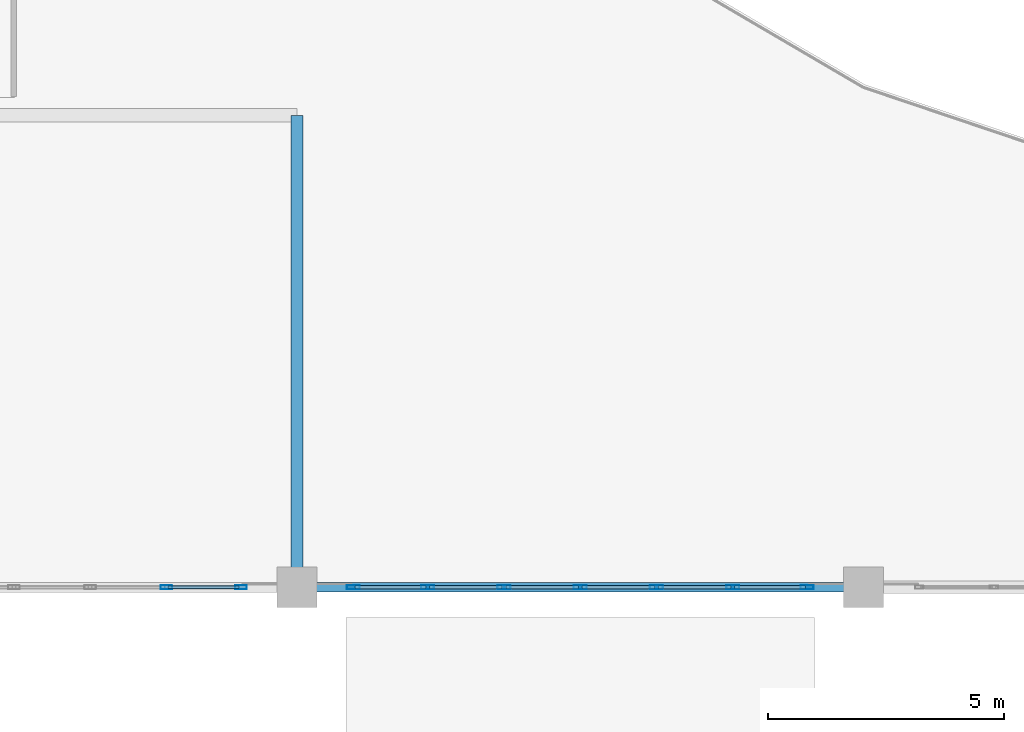
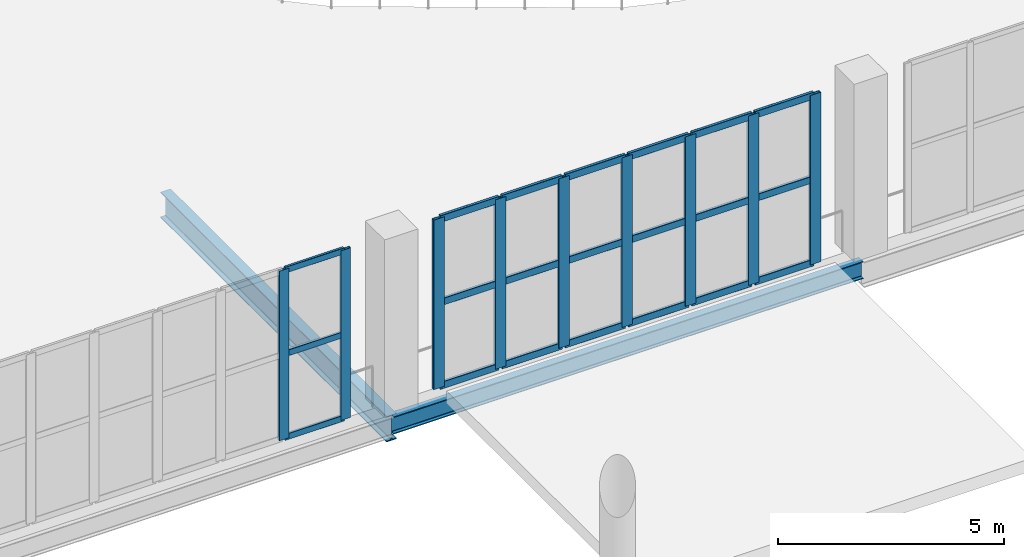
# One storey, part 12 of 49: 30 members, 2 beams, 2 elements without a shape of their own.
"""IFC4 building model written with IfcOpenShell, lengths in metres."""

from ifc_helpers import new_model, si_unit, direction, frame, origin, origin_2d, place, context, subcontext, project, spatial, hollow_rectangle, i_section, extrude, material, layer, layer_set, material_profile, profile_set, type_object, element, aggregate, save


model = new_model("IFC4")

# Units and contexts
model_context = context("Model", 3, precision=1e-05, world=origin(), true_north=direction((0.0, 1.0)))
body_context = subcontext(model_context, "Body", "Model", "MODEL_VIEW")
ifc_project = project(units=[si_unit("LENGTHUNIT", "METRE"), si_unit("AREAUNIT", "SQUARE_METRE"), si_unit("VOLUMEUNIT", "CUBIC_METRE"), si_unit("PLANEANGLEUNIT", "RADIAN"), si_unit("MASSUNIT", "GRAM", prefix="KILO")], contexts=[model_context])

# Site, building, storey
site_placement = place(None, origin())
site = spatial("IfcSite", under=ifc_project, at=site_placement, CompositionType="ELEMENT")
building_placement = place(site_placement, origin())
building = spatial("IfcBuilding", under=site, at=building_placement, Name="Brinegate Civic Arena", CompositionType="ELEMENT")
storey_placement = place(building_placement, frame((0.0, 0.0, 24.60009765625)))
storey = spatial("IfcBuildingStorey", under=building, at=storey_placement, Name="L05", CompositionType="ELEMENT", Elevation=24.60009765625)

# Curtain wall, members
ifc_material_1 = material(Name="Marine grade aluminium", Category="aluminium")
ifc_layer = layer(ifc_material_1, 0.199951171875, Name="Marine grade aluminium")
ifc_layer_set = layer_set([ifc_layer], Name="Marine grade aluminium")
curtain_wall_type = type_object("IfcCurtainWallType", Name="CW-BOWL-GLAZED-01", PredefinedType="USERDEFINED", material=ifc_layer_set)
curtain_wall_1_placement = place(storey_placement, origin())
curtain_wall_1 = element("IfcCurtainWall", 1, at=curtain_wall_1_placement, inside=storey, type_object=curtain_wall_type, Name="Curtain Wall CWA-165", ObjectType="GLAZED CURTAIN WALL", PredefinedType="USERDEFINED")
ifc_material_profile_1 = material_profile(ifc_material_1, hollow_rectangle(XDim=0.074951171875, YDim=0.25, WallThickness=0.006103515625, InnerFilletRadius=0.00390625, OuterFilletRadius=0.008056640625, at=origin_2d()), Name="MUL75X250")
ifc_profile_set_1 = profile_set([ifc_material_profile_1], Name="Marine grade aluminium")
member_type_1 = type_object("IfcMemberType", Name="CW-MULLION-75X250", PredefinedType="MULLION", material=ifc_profile_set_1)
member_1_placement = place(storey_placement, frame((81.232666015625, 10.0, 0.0), z_axis=(0.0, 0.0, 1.0), x_axis=(0.0, 1.0, 0.0)))
member_1 = element("IfcMember", 2, at=member_1_placement, type_object=member_type_1, Name="CWA-165 mullion 6", PredefinedType="MULLION", context=body_context, shape_type="SweptSolid", body=[
    extrude(hollow_rectangle(XDim=0.074951171875, YDim=0.25, WallThickness=0.006103515625, InnerFilletRadius=0.00390625, OuterFilletRadius=0.008056640625, at=origin_2d()), origin(), (0.0, 0.0, 1.0), 4.579833984375),
])
member_2_placement = place(storey_placement, frame((82.8115234375, 10.0, 0.0), z_axis=(0.0, 0.0, 1.0), x_axis=(0.0, 1.0, 0.0)))
member_2 = element("IfcMember", 3, at=member_2_placement, type_object=member_type_1, Name="CWA-165 mullion 7", PredefinedType="MULLION", context=body_context, shape_type="SweptSolid", body=[
    extrude(hollow_rectangle(XDim=0.074951171875, YDim=0.25, WallThickness=0.006103515625, InnerFilletRadius=0.00390625, OuterFilletRadius=0.008056640625, at=origin_2d()), origin(), (0.0, 0.0, 1.0), 4.579833984375),
])

curtain_wall_2_placement = place(storey_placement, origin())
curtain_wall_2 = element("IfcCurtainWall", 4, at=curtain_wall_2_placement, inside=storey, type_object=curtain_wall_type, Name="Curtain Wall CWA-166", ObjectType="GLAZED CURTAIN WALL", PredefinedType="USERDEFINED")
ifc_material_profile_2 = material_profile(ifc_material_1, hollow_rectangle(XDim=0.080078125, YDim=0.280029296875, WallThickness=0.007080078125, InnerFilletRadius=0.0048828125, OuterFilletRadius=0.010009765625, at=origin_2d()), Name="MUL80X280")
ifc_profile_set_2 = profile_set([ifc_material_profile_2], Name="Marine grade aluminium")
member_type_2 = type_object("IfcMemberType", Name="CW-MULLION-80X280", PredefinedType="MULLION", material=ifc_profile_set_2)
member_3_placement = place(storey_placement, frame((85.19091796875, 10.0, 0.0), z_axis=(0.0, 0.0, 1.0), x_axis=(0.0, 1.0, 0.0)))
member_3 = element("IfcMember", 5, at=member_3_placement, type_object=member_type_2, Name="CWA-166 mullion 1", PredefinedType="MULLION", context=body_context, shape_type="SweptSolid", body=[
    extrude(hollow_rectangle(XDim=0.080078125, YDim=0.280029296875, WallThickness=0.007080078125, InnerFilletRadius=0.0048828125, OuterFilletRadius=0.010009765625, at=origin_2d()), origin(), (0.0, 0.0, 1.0), 4.579833984375),
])
member_4_placement = place(storey_placement, frame((86.767333984375, 10.0, 0.0), z_axis=(0.0, 0.0, 1.0), x_axis=(0.0, 1.0, 0.0)))
member_4 = element("IfcMember", 6, at=member_4_placement, type_object=member_type_2, Name="CWA-166 mullion 2", PredefinedType="MULLION", context=body_context, shape_type="SweptSolid", body=[
    extrude(hollow_rectangle(XDim=0.080078125, YDim=0.280029296875, WallThickness=0.007080078125, InnerFilletRadius=0.0048828125, OuterFilletRadius=0.010009765625, at=origin_2d()), origin(), (0.0, 0.0, 1.0), 4.579833984375),
])
member_5_placement = place(storey_placement, frame((88.383544921875, 10.0, 0.0), z_axis=(0.0, 0.0, 1.0), x_axis=(0.0, 1.0, 0.0)))
member_5 = element("IfcMember", 7, at=member_5_placement, type_object=member_type_2, Name="CWA-166 mullion 3", PredefinedType="MULLION", context=body_context, shape_type="SweptSolid", body=[
    extrude(hollow_rectangle(XDim=0.080078125, YDim=0.280029296875, WallThickness=0.007080078125, InnerFilletRadius=0.0048828125, OuterFilletRadius=0.010009765625, at=origin_2d()), origin(), (0.0, 0.0, 1.0), 4.579833984375),
])
member_6_placement = place(storey_placement, frame((90.0, 10.0, 0.0), z_axis=(0.0, 0.0, 1.0), x_axis=(0.0, 1.0, 0.0)))
member_6 = element("IfcMember", 8, at=member_6_placement, type_object=member_type_2, Name="CWA-166 mullion 4", PredefinedType="MULLION", context=body_context, shape_type="SweptSolid", body=[
    extrude(hollow_rectangle(XDim=0.080078125, YDim=0.280029296875, WallThickness=0.007080078125, InnerFilletRadius=0.0048828125, OuterFilletRadius=0.010009765625, at=origin_2d()), origin(), (0.0, 0.0, 1.0), 4.579833984375),
])
member_7_placement = place(storey_placement, frame((91.616455078125, 10.0, 0.0), z_axis=(0.0, 0.0, 1.0), x_axis=(0.0, 1.0, 0.0)))
member_7 = element("IfcMember", 9, at=member_7_placement, type_object=member_type_2, Name="CWA-166 mullion 5", PredefinedType="MULLION", context=body_context, shape_type="SweptSolid", body=[
    extrude(hollow_rectangle(XDim=0.080078125, YDim=0.280029296875, WallThickness=0.007080078125, InnerFilletRadius=0.0048828125, OuterFilletRadius=0.010009765625, at=origin_2d()), origin(), (0.0, 0.0, 1.0), 4.579833984375),
])
member_8_placement = place(storey_placement, frame((93.232666015625, 10.0, 0.0), z_axis=(0.0, 0.0, 1.0), x_axis=(0.0, 1.0, 0.0)))
member_8 = element("IfcMember", 10, at=member_8_placement, type_object=member_type_2, Name="CWA-166 mullion 6", PredefinedType="MULLION", context=body_context, shape_type="SweptSolid", body=[
    extrude(hollow_rectangle(XDim=0.080078125, YDim=0.280029296875, WallThickness=0.007080078125, InnerFilletRadius=0.0048828125, OuterFilletRadius=0.010009765625, at=origin_2d()), origin(), (0.0, 0.0, 1.0), 4.579833984375),
])
member_9_placement = place(storey_placement, frame((94.80908203125, 10.0, 0.0), z_axis=(0.0, 0.0, 1.0), x_axis=(0.0, 1.0, 0.0)))
member_9 = element("IfcMember", 11, at=member_9_placement, type_object=member_type_2, Name="CWA-166 mullion 7", PredefinedType="MULLION", context=body_context, shape_type="SweptSolid", body=[
    extrude(hollow_rectangle(XDim=0.080078125, YDim=0.280029296875, WallThickness=0.007080078125, InnerFilletRadius=0.0048828125, OuterFilletRadius=0.010009765625, at=origin_2d()), origin(), (0.0, 0.0, 1.0), 4.579833984375),
])

# Member
ifc_material_profile_3 = material_profile(ifc_material_1, hollow_rectangle(XDim=0.06494140625, YDim=0.1650390625, WallThickness=0.0048828125, InnerFilletRadius=0.00390625, OuterFilletRadius=0.008056640625, at=origin_2d()), Name="TRN65X165")
ifc_profile_set_3 = profile_set([ifc_material_profile_3], Name="Marine grade aluminium")
member_type_3 = type_object("IfcMemberType", Name="CW-TRANSOM-65X165", PredefinedType="USERDEFINED", material=ifc_profile_set_3)
member_10_placement = place(storey_placement, frame((81.270263671875, 10.0, 0.032470703125), z_axis=(1.0, 0.0, 0.0), x_axis=(0.0, 1.0, 0.0)))
member_10 = element("IfcMember", 12, at=member_10_placement, type_object=member_type_3, Name="CWA-165 transom 6.1", ObjectType="TRANSOM", PredefinedType="USERDEFINED", context=body_context, shape_type="SweptSolid", body=[
    extrude(hollow_rectangle(XDim=0.06494140625, YDim=0.1650390625, WallThickness=0.0048828125, InnerFilletRadius=0.00390625, OuterFilletRadius=0.008056640625, at=origin_2d()), origin(), (0.0, 0.0, 1.0), 1.503662109375),
])

member_11_placement = place(storey_placement, frame((81.270263671875, 10.0, 2.289794921875), z_axis=(1.0, 0.0, 0.0), x_axis=(0.0, 1.0, 0.0)))
member_11 = element("IfcMember", 13, at=member_11_placement, type_object=member_type_3, Name="CWA-165 transom 6.2", ObjectType="TRANSOM", PredefinedType="USERDEFINED", context=body_context, shape_type="SweptSolid", body=[
    extrude(hollow_rectangle(XDim=0.06494140625, YDim=0.1650390625, WallThickness=0.0048828125, InnerFilletRadius=0.00390625, OuterFilletRadius=0.008056640625, at=origin_2d()), origin(), (0.0, 0.0, 1.0), 1.503662109375),
])

member_12_placement = place(storey_placement, frame((81.270263671875, 10.0, 4.54736328125), z_axis=(1.0, 0.0, 0.0), x_axis=(0.0, 1.0, 0.0)))
member_12 = element("IfcMember", 14, at=member_12_placement, type_object=member_type_3, Name="CWA-165 transom 6.3", ObjectType="TRANSOM", PredefinedType="USERDEFINED", context=body_context, shape_type="SweptSolid", body=[
    extrude(hollow_rectangle(XDim=0.06494140625, YDim=0.1650390625, WallThickness=0.0048828125, InnerFilletRadius=0.00390625, OuterFilletRadius=0.008056640625, at=origin_2d()), origin(), (0.0, 0.0, 1.0), 1.503662109375),
])

aggregate(curtain_wall_1, [member_1, member_2, member_10, member_11, member_12])

ifc_material_profile_4 = material_profile(ifc_material_1, hollow_rectangle(XDim=0.074951171875, YDim=0.18994140625, WallThickness=0.006103515625, InnerFilletRadius=0.00390625, OuterFilletRadius=0.008056640625, at=origin_2d()), Name="TRN75X190")
ifc_profile_set_4 = profile_set([ifc_material_profile_4], Name="Marine grade aluminium")
member_type_4 = type_object("IfcMemberType", Name="CW-TRANSOM-75X190", PredefinedType="USERDEFINED", material=ifc_profile_set_4)
member_13_placement = place(storey_placement, frame((85.23095703125, 10.0, 0.037353515625), z_axis=(1.0, 0.0, 0.0), x_axis=(0.0, 1.0, 0.0)))
member_13 = element("IfcMember", 15, at=member_13_placement, type_object=member_type_4, Name="CWA-166 transom 1.1", ObjectType="TRANSOM", PredefinedType="USERDEFINED", context=body_context, shape_type="SweptSolid", body=[
    extrude(hollow_rectangle(XDim=0.074951171875, YDim=0.18994140625, WallThickness=0.006103515625, InnerFilletRadius=0.00390625, OuterFilletRadius=0.008056640625, at=origin_2d()), origin(), (0.0, 0.0, 1.0), 1.496337890625),
])

member_14_placement = place(storey_placement, frame((85.23095703125, 10.0, 2.289794921875), z_axis=(1.0, 0.0, 0.0), x_axis=(0.0, 1.0, 0.0)))
member_14 = element("IfcMember", 16, at=member_14_placement, type_object=member_type_4, Name="CWA-166 transom 1.2", ObjectType="TRANSOM", PredefinedType="USERDEFINED", context=body_context, shape_type="SweptSolid", body=[
    extrude(hollow_rectangle(XDim=0.074951171875, YDim=0.18994140625, WallThickness=0.006103515625, InnerFilletRadius=0.00390625, OuterFilletRadius=0.008056640625, at=origin_2d()), origin(), (0.0, 0.0, 1.0), 1.496337890625),
])

member_15_placement = place(storey_placement, frame((85.23095703125, 10.0, 4.54248046875), z_axis=(1.0, 0.0, 0.0), x_axis=(0.0, 1.0, 0.0)))
member_15 = element("IfcMember", 17, at=member_15_placement, type_object=member_type_4, Name="CWA-166 transom 1.3", ObjectType="TRANSOM", PredefinedType="USERDEFINED", context=body_context, shape_type="SweptSolid", body=[
    extrude(hollow_rectangle(XDim=0.074951171875, YDim=0.18994140625, WallThickness=0.006103515625, InnerFilletRadius=0.00390625, OuterFilletRadius=0.008056640625, at=origin_2d()), origin(), (0.0, 0.0, 1.0), 1.496337890625),
])

member_16_placement = place(storey_placement, frame((86.807373046875, 10.0, 0.037353515625), z_axis=(1.0, 0.0, 0.0), x_axis=(0.0, 1.0, 0.0)))
member_16 = element("IfcMember", 18, at=member_16_placement, type_object=member_type_4, Name="CWA-166 transom 2.1", ObjectType="TRANSOM", PredefinedType="USERDEFINED", context=body_context, shape_type="SweptSolid", body=[
    extrude(hollow_rectangle(XDim=0.074951171875, YDim=0.18994140625, WallThickness=0.006103515625, InnerFilletRadius=0.00390625, OuterFilletRadius=0.008056640625, at=origin_2d()), origin(), (0.0, 0.0, 1.0), 1.536376953125),
])

member_17_placement = place(storey_placement, frame((86.807373046875, 10.0, 2.289794921875), z_axis=(1.0, 0.0, 0.0), x_axis=(0.0, 1.0, 0.0)))
member_17 = element("IfcMember", 19, at=member_17_placement, type_object=member_type_4, Name="CWA-166 transom 2.2", ObjectType="TRANSOM", PredefinedType="USERDEFINED", context=body_context, shape_type="SweptSolid", body=[
    extrude(hollow_rectangle(XDim=0.074951171875, YDim=0.18994140625, WallThickness=0.006103515625, InnerFilletRadius=0.00390625, OuterFilletRadius=0.008056640625, at=origin_2d()), origin(), (0.0, 0.0, 1.0), 1.536376953125),
])

member_18_placement = place(storey_placement, frame((86.807373046875, 10.0, 4.54248046875), z_axis=(1.0, 0.0, 0.0), x_axis=(0.0, 1.0, 0.0)))
member_18 = element("IfcMember", 20, at=member_18_placement, type_object=member_type_4, Name="CWA-166 transom 2.3", ObjectType="TRANSOM", PredefinedType="USERDEFINED", context=body_context, shape_type="SweptSolid", body=[
    extrude(hollow_rectangle(XDim=0.074951171875, YDim=0.18994140625, WallThickness=0.006103515625, InnerFilletRadius=0.00390625, OuterFilletRadius=0.008056640625, at=origin_2d()), origin(), (0.0, 0.0, 1.0), 1.536376953125),
])

member_19_placement = place(storey_placement, frame((88.423583984375, 10.0, 0.037353515625), z_axis=(1.0, 0.0, 0.0), x_axis=(0.0, 1.0, 0.0)))
member_19 = element("IfcMember", 21, at=member_19_placement, type_object=member_type_4, Name="CWA-166 transom 3.1", ObjectType="TRANSOM", PredefinedType="USERDEFINED", context=body_context, shape_type="SweptSolid", body=[
    extrude(hollow_rectangle(XDim=0.074951171875, YDim=0.18994140625, WallThickness=0.006103515625, InnerFilletRadius=0.00390625, OuterFilletRadius=0.008056640625, at=origin_2d()), origin(), (0.0, 0.0, 1.0), 1.536376953125),
])

member_20_placement = place(storey_placement, frame((88.423583984375, 10.0, 2.289794921875), z_axis=(1.0, 0.0, 0.0), x_axis=(0.0, 1.0, 0.0)))
member_20 = element("IfcMember", 22, at=member_20_placement, type_object=member_type_4, Name="CWA-166 transom 3.2", ObjectType="TRANSOM", PredefinedType="USERDEFINED", context=body_context, shape_type="SweptSolid", body=[
    extrude(hollow_rectangle(XDim=0.074951171875, YDim=0.18994140625, WallThickness=0.006103515625, InnerFilletRadius=0.00390625, OuterFilletRadius=0.008056640625, at=origin_2d()), origin(), (0.0, 0.0, 1.0), 1.536376953125),
])

member_21_placement = place(storey_placement, frame((88.423583984375, 10.0, 4.54248046875), z_axis=(1.0, 0.0, 0.0), x_axis=(0.0, 1.0, 0.0)))
member_21 = element("IfcMember", 23, at=member_21_placement, type_object=member_type_4, Name="CWA-166 transom 3.3", ObjectType="TRANSOM", PredefinedType="USERDEFINED", context=body_context, shape_type="SweptSolid", body=[
    extrude(hollow_rectangle(XDim=0.074951171875, YDim=0.18994140625, WallThickness=0.006103515625, InnerFilletRadius=0.00390625, OuterFilletRadius=0.008056640625, at=origin_2d()), origin(), (0.0, 0.0, 1.0), 1.536376953125),
])

member_22_placement = place(storey_placement, frame((90.0400390625, 10.0, 0.037353515625), z_axis=(1.0, 0.0, 0.0), x_axis=(0.0, 1.0, 0.0)))
member_22 = element("IfcMember", 24, at=member_22_placement, type_object=member_type_4, Name="CWA-166 transom 4.1", ObjectType="TRANSOM", PredefinedType="USERDEFINED", context=body_context, shape_type="SweptSolid", body=[
    extrude(hollow_rectangle(XDim=0.074951171875, YDim=0.18994140625, WallThickness=0.006103515625, InnerFilletRadius=0.00390625, OuterFilletRadius=0.008056640625, at=origin_2d()), origin(), (0.0, 0.0, 1.0), 1.536376953125),
])

member_23_placement = place(storey_placement, frame((90.0400390625, 10.0, 2.289794921875), z_axis=(1.0, 0.0, 0.0), x_axis=(0.0, 1.0, 0.0)))
member_23 = element("IfcMember", 25, at=member_23_placement, type_object=member_type_4, Name="CWA-166 transom 4.2", ObjectType="TRANSOM", PredefinedType="USERDEFINED", context=body_context, shape_type="SweptSolid", body=[
    extrude(hollow_rectangle(XDim=0.074951171875, YDim=0.18994140625, WallThickness=0.006103515625, InnerFilletRadius=0.00390625, OuterFilletRadius=0.008056640625, at=origin_2d()), origin(), (0.0, 0.0, 1.0), 1.536376953125),
])

member_24_placement = place(storey_placement, frame((90.0400390625, 10.0, 4.54248046875), z_axis=(1.0, 0.0, 0.0), x_axis=(0.0, 1.0, 0.0)))
member_24 = element("IfcMember", 26, at=member_24_placement, type_object=member_type_4, Name="CWA-166 transom 4.3", ObjectType="TRANSOM", PredefinedType="USERDEFINED", context=body_context, shape_type="SweptSolid", body=[
    extrude(hollow_rectangle(XDim=0.074951171875, YDim=0.18994140625, WallThickness=0.006103515625, InnerFilletRadius=0.00390625, OuterFilletRadius=0.008056640625, at=origin_2d()), origin(), (0.0, 0.0, 1.0), 1.536376953125),
])

member_25_placement = place(storey_placement, frame((91.65625, 10.0, 0.037353515625), z_axis=(1.0, 0.0, 0.0), x_axis=(0.0, 1.0, 0.0)))
member_25 = element("IfcMember", 27, at=member_25_placement, type_object=member_type_4, Name="CWA-166 transom 5.1", ObjectType="TRANSOM", PredefinedType="USERDEFINED", context=body_context, shape_type="SweptSolid", body=[
    extrude(hollow_rectangle(XDim=0.074951171875, YDim=0.18994140625, WallThickness=0.006103515625, InnerFilletRadius=0.00390625, OuterFilletRadius=0.008056640625, at=origin_2d()), origin(), (0.0, 0.0, 1.0), 1.536376953125),
])

member_26_placement = place(storey_placement, frame((91.65625, 10.0, 2.289794921875), z_axis=(1.0, 0.0, 0.0), x_axis=(0.0, 1.0, 0.0)))
member_26 = element("IfcMember", 28, at=member_26_placement, type_object=member_type_4, Name="CWA-166 transom 5.2", ObjectType="TRANSOM", PredefinedType="USERDEFINED", context=body_context, shape_type="SweptSolid", body=[
    extrude(hollow_rectangle(XDim=0.074951171875, YDim=0.18994140625, WallThickness=0.006103515625, InnerFilletRadius=0.00390625, OuterFilletRadius=0.008056640625, at=origin_2d()), origin(), (0.0, 0.0, 1.0), 1.536376953125),
])

member_27_placement = place(storey_placement, frame((91.65625, 10.0, 4.54248046875), z_axis=(1.0, 0.0, 0.0), x_axis=(0.0, 1.0, 0.0)))
member_27 = element("IfcMember", 29, at=member_27_placement, type_object=member_type_4, Name="CWA-166 transom 5.3", ObjectType="TRANSOM", PredefinedType="USERDEFINED", context=body_context, shape_type="SweptSolid", body=[
    extrude(hollow_rectangle(XDim=0.074951171875, YDim=0.18994140625, WallThickness=0.006103515625, InnerFilletRadius=0.00390625, OuterFilletRadius=0.008056640625, at=origin_2d()), origin(), (0.0, 0.0, 1.0), 1.536376953125),
])

member_28_placement = place(storey_placement, frame((93.272705078125, 10.0, 0.037353515625), z_axis=(1.0, 0.0, 0.0), x_axis=(0.0, 1.0, 0.0)))
member_28 = element("IfcMember", 30, at=member_28_placement, type_object=member_type_4, Name="CWA-166 transom 6.1", ObjectType="TRANSOM", PredefinedType="USERDEFINED", context=body_context, shape_type="SweptSolid", body=[
    extrude(hollow_rectangle(XDim=0.074951171875, YDim=0.18994140625, WallThickness=0.006103515625, InnerFilletRadius=0.00390625, OuterFilletRadius=0.008056640625, at=origin_2d()), origin(), (0.0, 0.0, 1.0), 1.496337890625),
])

member_29_placement = place(storey_placement, frame((93.272705078125, 10.0, 2.289794921875), z_axis=(1.0, 0.0, 0.0), x_axis=(0.0, 1.0, 0.0)))
member_29 = element("IfcMember", 31, at=member_29_placement, type_object=member_type_4, Name="CWA-166 transom 6.2", ObjectType="TRANSOM", PredefinedType="USERDEFINED", context=body_context, shape_type="SweptSolid", body=[
    extrude(hollow_rectangle(XDim=0.074951171875, YDim=0.18994140625, WallThickness=0.006103515625, InnerFilletRadius=0.00390625, OuterFilletRadius=0.008056640625, at=origin_2d()), origin(), (0.0, 0.0, 1.0), 1.496337890625),
])

member_30_placement = place(storey_placement, frame((93.272705078125, 10.0, 4.54248046875), z_axis=(1.0, 0.0, 0.0), x_axis=(0.0, 1.0, 0.0)))
member_30 = element("IfcMember", 32, at=member_30_placement, type_object=member_type_4, Name="CWA-166 transom 6.3", ObjectType="TRANSOM", PredefinedType="USERDEFINED", context=body_context, shape_type="SweptSolid", body=[
    extrude(hollow_rectangle(XDim=0.074951171875, YDim=0.18994140625, WallThickness=0.006103515625, InnerFilletRadius=0.00390625, OuterFilletRadius=0.008056640625, at=origin_2d()), origin(), (0.0, 0.0, 1.0), 1.496337890625),
])

aggregate(curtain_wall_2, [member_3, member_4, member_5, member_6, member_7, member_8, member_9, member_13, member_14, member_15, member_16, member_17, member_18, member_19, member_20, member_21, member_22, member_23, member_24, member_25, member_26, member_27, member_28, member_29, member_30])

# Beams
ifc_material_2 = material(Name="Steel S355", Category="steel")
ifc_material_profile_5 = material_profile(ifc_material_2, i_section(OverallWidth=0.256103515625, OverallDepth=0.693115234375, WebThickness=0.014892578125, FlangeThickness=0.02392578125, FilletRadius=0.01806640625, at=origin_2d()), Name="W690X170")
ifc_profile_set_5 = profile_set([ifc_material_profile_5], Name="Steel S355")
beam_type_1 = type_object("IfcBeamType", Name="GIRDER-W690X170", PredefinedType="BEAM", material=ifc_profile_set_5)
beam_1_placement = place(storey_placement, frame((84.0, 10.0, -0.676025390625), z_axis=(0.0, 1.0, 0.0), x_axis=(-1.0, 0.0, 0.0)))
element("IfcBeam", 33, at=beam_1_placement, inside=storey, type_object=beam_type_1, Name="Floor Girder BM-L05-GY-07-01", PredefinedType="BEAM", context=body_context, shape_type="SweptSolid", body=[
    extrude(i_section(OverallWidth=0.256103515625, OverallDepth=0.693115234375, WebThickness=0.014892578125, FlangeThickness=0.02392578125, FilletRadius=0.01806640625, at=origin_2d()), origin(), (0.0, 0.0, 1.0), 10.0),
])
ifc_material_profile_6 = material_profile(ifc_material_2, i_section(OverallWidth=0.193115234375, OverallDepth=0.466064453125, WebThickness=0.010986328125, FlangeThickness=0.01904296875, FilletRadius=0.014892578125, at=origin_2d()), Name="W460X97")
ifc_profile_set_6 = profile_set([ifc_material_profile_6], Name="Steel S355")
beam_type_2 = type_object("IfcBeamType", Name="SPANDREL-W460X97", PredefinedType="SPANDREL", material=ifc_profile_set_6)
beam_2_placement = place(storey_placement, frame((84.0, 10.0, -0.56298828125), z_axis=(1.0, 0.0, 0.0), x_axis=(0.0, 1.0, 0.0)))
element("IfcBeam", 34, at=beam_2_placement, inside=storey, type_object=beam_type_2, Name="Floor Girder BM-L05-GX-07-01", PredefinedType="SPANDREL", context=body_context, shape_type="SweptSolid", body=[
    extrude(i_section(OverallWidth=0.193115234375, OverallDepth=0.466064453125, WebThickness=0.010986328125, FlangeThickness=0.01904296875, FilletRadius=0.014892578125, at=origin_2d()), origin(), (0.0, 0.0, 1.0), 12.0),
])

save(model, "model.ifc")
